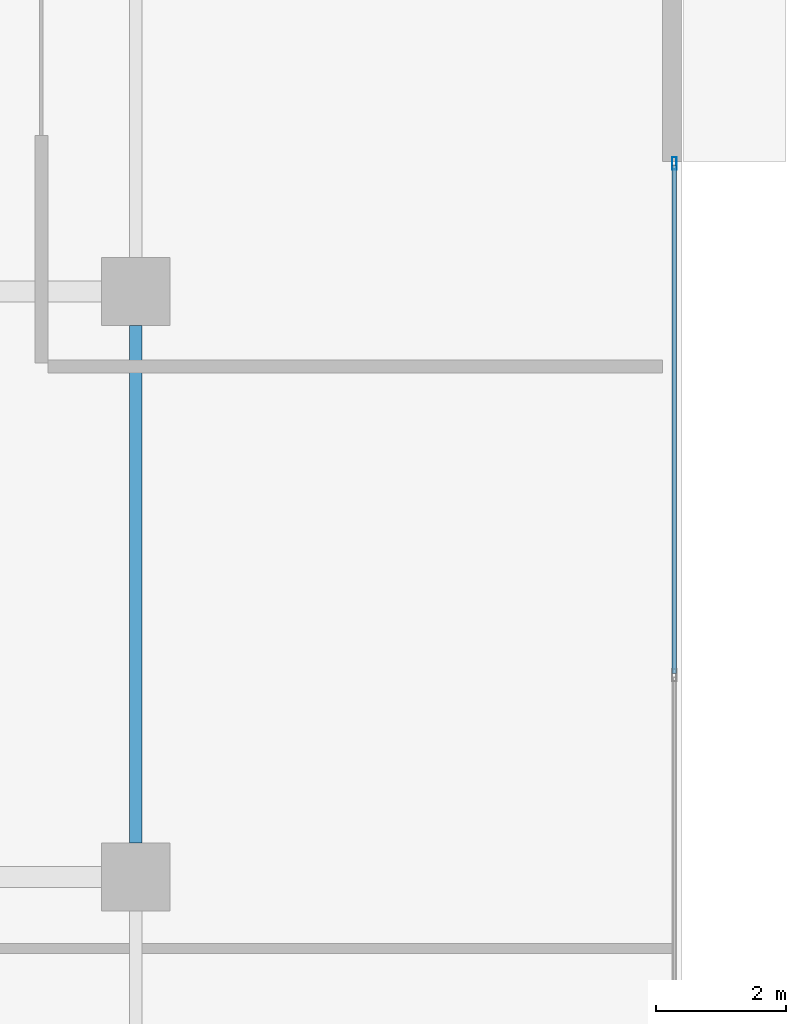
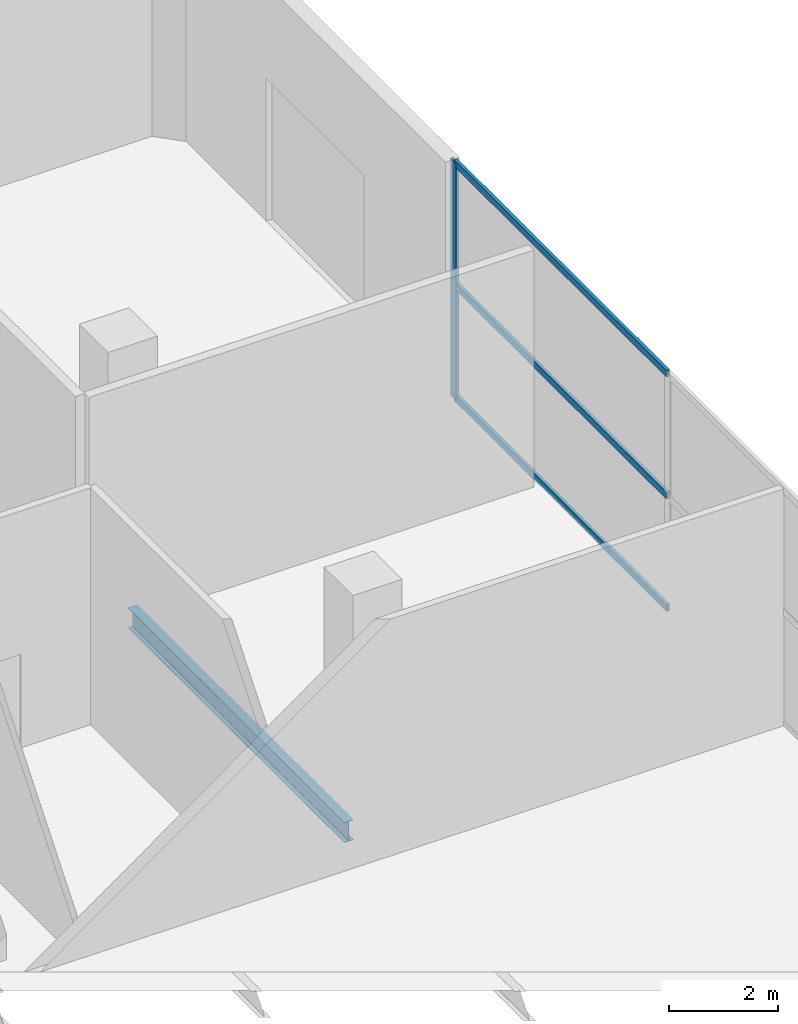
# One storey, part 25 of 35: 4 members, 1 beam, 1 element without a shape of its own.
"""IFC4 building model written with IfcOpenShell, lengths in metres."""

from ifc_helpers import new_model, si_unit, direction, frame, origin, origin_2d, place, context, subcontext, project, spatial, hollow_rectangle, i_section, extrude, material, layer, layer_set, material_profile, profile_set, type_object, element, aggregate, save


model = new_model("IFC4")

# Units and contexts
model_context = context("Model", 3, precision=1e-05, world=origin(), true_north=direction((0.0, 1.0)))
body_context = subcontext(model_context, "Body", "Model", "MODEL_VIEW")
ifc_project = project(units=[si_unit("LENGTHUNIT", "METRE"), si_unit("AREAUNIT", "SQUARE_METRE"), si_unit("VOLUMEUNIT", "CUBIC_METRE"), si_unit("PLANEANGLEUNIT", "RADIAN"), si_unit("MASSUNIT", "GRAM", prefix="KILO")], contexts=[model_context])

# Site, building, storey
site_placement = place(None, origin())
site = spatial("IfcSite", under=ifc_project, at=site_placement, CompositionType="ELEMENT")
building_placement = place(site_placement, origin())
building = spatial("IfcBuilding", under=site, at=building_placement, Name="Maruvema Waterfront Hotel and Observation Tower", CompositionType="ELEMENT")
storey_placement = place(building_placement, origin())
storey = spatial("IfcBuildingStorey", under=building, at=storey_placement, Name="L00", CompositionType="ELEMENT", Elevation=0.0)

# Curtain wall, members
ifc_material_1 = material(Name="Anodised bronze aluminium and solar-control low-E IGU", Category="aluminium")
ifc_layer = layer(ifc_material_1, 0.159912109375, Name="Podium Waterfront Storefront Curtain Wall System CW-01")
ifc_layer_set = layer_set([ifc_layer], Name="Anodised bronze aluminium and solar-control low-E IGU")
curtain_wall_type = type_object("IfcCurtainWallType", Name="Podium Waterfront Storefront Curtain Wall System CW-01", PredefinedType="USERDEFINED", material=ifc_layer_set)
curtain_wall_placement = place(storey_placement, origin())
curtain_wall = element("IfcCurtainWall", 1, at=curtain_wall_placement, inside=storey, type_object=curtain_wall_type, Name="L00 Curtain Wall CW-L00-ES", ObjectType="UNITISED CURTAIN WALL", PredefinedType="USERDEFINED")
ifc_material_2 = material(Name="Anodised architectural bronze aluminium", Category="aluminium")
ifc_material_profile_1 = material_profile(ifc_material_2, hollow_rectangle(XDim=0.070068359375, YDim=0.14990234375, WallThickness=0.00390625, at=origin_2d()), Name="ALU-T70x150")
ifc_profile_set_1 = profile_set([ifc_material_profile_1], Name="Anodised architectural bronze aluminium")
member_type_1 = type_object("IfcMemberType", Name="Curtain Wall Horizontal Transom ALU-T70x150", PredefinedType="USERDEFINED", material=ifc_profile_set_1)
member_1_placement = place(storey_placement, frame((75.47998046875, 30.1298828125, 0.030029296875), z_axis=(0.0, 1.0, 0.0), x_axis=(-1.0, 0.0, 0.0)))
member_1 = element("IfcMember", 2, at=member_1_placement, type_object=member_type_1, Name="CW-01 transom 4.1", ObjectType="TRANSOM", PredefinedType="USERDEFINED", context=body_context, shape_type="SweptSolid", body=[
    extrude(hollow_rectangle(XDim=0.070068359375, YDim=0.14990234375, WallThickness=0.00390625, at=origin_2d()), origin(), (0.0, 0.0, 1.0), 7.81005859375),
])
member_2_placement = place(storey_placement, frame((75.47998046875, 30.1298828125, 2.550048828125), z_axis=(0.0, 1.0, 0.0), x_axis=(-1.0, 0.0, 0.0)))
member_2 = element("IfcMember", 3, at=member_2_placement, type_object=member_type_1, Name="CW-01 transom 4.2", ObjectType="TRANSOM", PredefinedType="USERDEFINED", context=body_context, shape_type="SweptSolid", body=[
    extrude(hollow_rectangle(XDim=0.070068359375, YDim=0.14990234375, WallThickness=0.00390625, at=origin_2d()), origin(), (0.0, 0.0, 1.0), 7.81005859375),
])
member_3_placement = place(storey_placement, frame((75.47998046875, 30.1298828125, 5.2900390625), z_axis=(0.0, 1.0, 0.0), x_axis=(-1.0, 0.0, 0.0)))
member_3 = element("IfcMember", 4, at=member_3_placement, type_object=member_type_1, Name="CW-01 transom 4.3", ObjectType="TRANSOM", PredefinedType="USERDEFINED", context=body_context, shape_type="SweptSolid", body=[
    extrude(hollow_rectangle(XDim=0.070068359375, YDim=0.14990234375, WallThickness=0.00390625, at=origin_2d()), origin(), (0.0, 0.0, 1.0), 7.81005859375),
])

# Beam
ifc_material_3 = material(Name="Steel ASTM A572 Grade 50", Category="steel")
ifc_material_profile_2 = material_profile(ifc_material_3, i_section(OverallWidth=0.18994140625, OverallDepth=0.45703125, WebThickness=0.009033203125, FlangeThickness=0.014404296875, FilletRadius=0.014892578125, at=origin_2d()), Name="W460x74.0")
ifc_profile_set_2 = profile_set([ifc_material_profile_2], Name="Steel ASTM A572 Grade 50")
beam_type = type_object("IfcBeamType", Name="Perimeter Spandrel Beam W460x74.0", PredefinedType="SPANDREL", material=ifc_profile_set_2)
beam_placement = place(storey_placement, frame((67.199951171875, 27.52490234375, -0.508544921875), z_axis=(0.0, 1.0, 0.0), x_axis=(-1.0, 0.0, 0.0)))
element("IfcBeam", 5, at=beam_placement, inside=storey, type_object=beam_type, Name="L00 Floor Girder NS-38", PredefinedType="SPANDREL", context=body_context, shape_type="SweptSolid", body=[
    extrude(i_section(OverallWidth=0.18994140625, OverallDepth=0.45703125, WebThickness=0.009033203125, FlangeThickness=0.014404296875, FilletRadius=0.014892578125, at=origin_2d()), origin(), (0.0, 0.0, 1.0), 7.9501953125),
])

# Member
ifc_material_4 = material(Name="Anodised architectural bronze aluminium", Category="aluminium")
ifc_material_profile_3 = material_profile(ifc_material_4, hollow_rectangle(XDim=0.070068359375, YDim=0.18994140625, WallThickness=0.00390625, at=origin_2d()), Name="ALU-M70x190")
ifc_profile_set_3 = profile_set([ifc_material_profile_3], Name="Anodised architectural bronze aluminium")
member_type_2 = type_object("IfcMemberType", Name="Podium Storefront Heavy Mullion ALU-M70x190", PredefinedType="MULLION", material=ifc_profile_set_3)
member_4_placement = place(storey_placement, frame((75.47998046875, 37.969970703125, 0.0), z_axis=(0.0, 0.0, 1.0), x_axis=(-1.0, 0.0, 0.0)))
member_4 = element("IfcMember", 6, at=member_4_placement, type_object=member_type_2, Name="CW-01 mullion 5", PredefinedType="MULLION", context=body_context, shape_type="SweptSolid", body=[
    extrude(hollow_rectangle(XDim=0.070068359375, YDim=0.18994140625, WallThickness=0.00390625, at=origin_2d()), origin(), (0.0, 0.0, 1.0), 5.320068359375),
])

aggregate(curtain_wall, [member_4, member_1, member_2, member_3])

save(model, "model.ifc")
